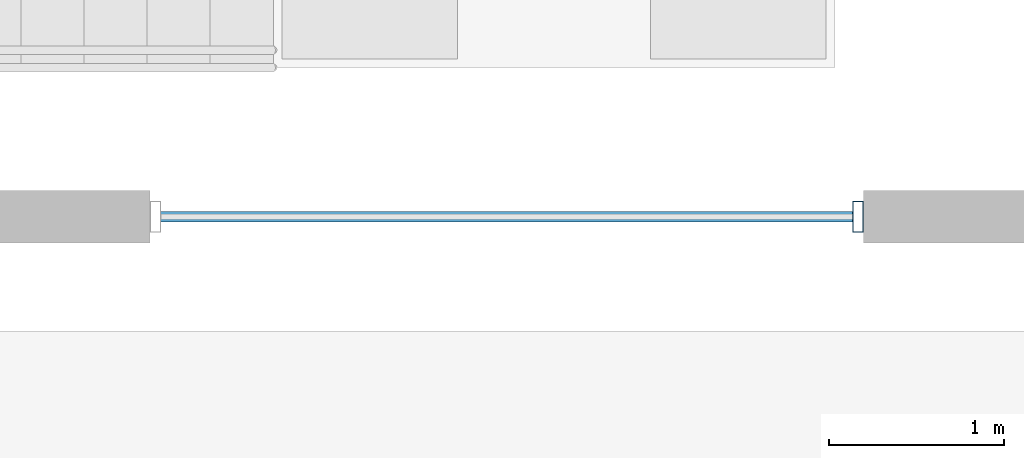
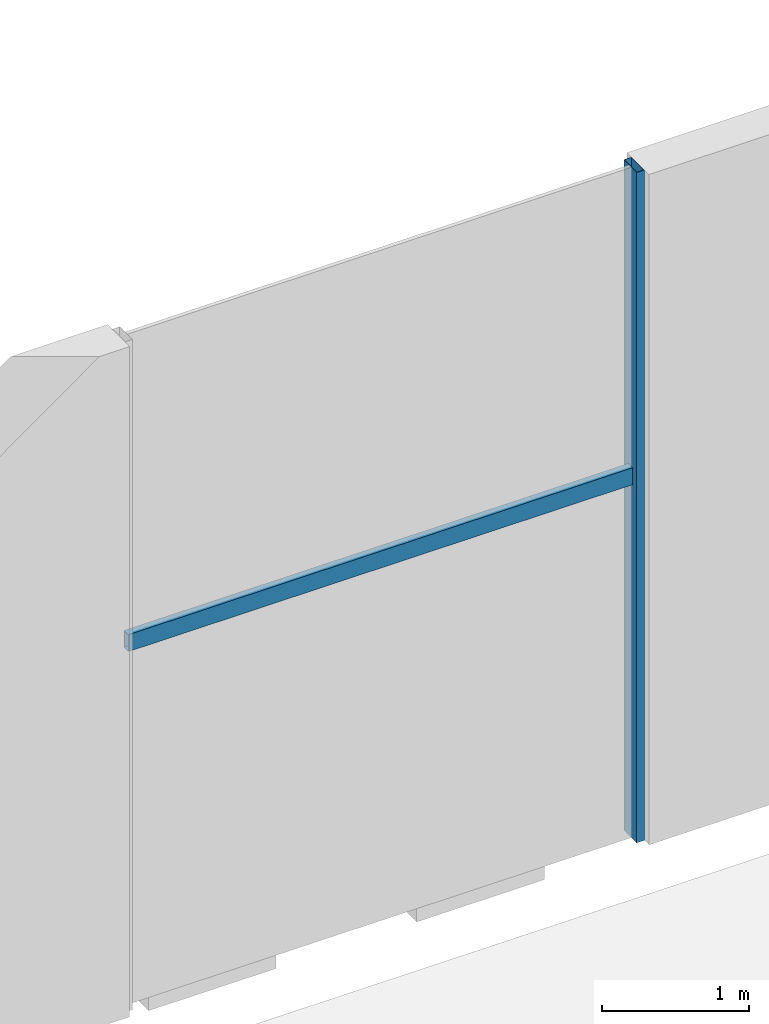
# One storey, part 15 of 68: 2 members, 1 element without a shape of its own.
"""IFC4 building model written with IfcOpenShell, lengths in metres."""

from ifc_helpers import new_model, si_unit, direction, frame, origin, origin_2d, place, context, subcontext, project, spatial, hollow_rectangle, extrude, material, material_profile, profile_set, type_object, element, aggregate, save


model = new_model("IFC4")

# Units and contexts
model_context = context("Model", 3, precision=1e-05, world=origin(), true_north=direction((0.0, 1.0)))
body_context = subcontext(model_context, "Body", "Model", "MODEL_VIEW")
ifc_project = project(units=[si_unit("LENGTHUNIT", "METRE"), si_unit("AREAUNIT", "SQUARE_METRE"), si_unit("VOLUMEUNIT", "CUBIC_METRE"), si_unit("PLANEANGLEUNIT", "RADIAN"), si_unit("MASSUNIT", "GRAM", prefix="KILO")], contexts=[model_context])

# Site, building, storey
site_placement = place(None, origin())
site = spatial("IfcSite", under=ifc_project, at=site_placement, CompositionType="ELEMENT")
building_placement = place(site_placement, origin())
building = spatial("IfcBuilding", under=site, at=building_placement, Name="Altepetl Exchange Towers", CompositionType="ELEMENT")
storey_placement = place(building_placement, origin())
storey = spatial("IfcBuildingStorey", under=building, at=storey_placement, Name="L00 Ground concourse", CompositionType="ELEMENT", Elevation=0.0)

# Curtain wall, members
ifc_material_1 = material(Name="Aluminium 6063-T6 glazing", Category="aluminium")
curtain_wall_type = type_object("IfcCurtainWallType", Name="Podium storefront system", PredefinedType="NOTDEFINED", material=ifc_material_1)
curtain_wall_placement = place(storey_placement, origin())
curtain_wall = element("IfcCurtainWall", 1, at=curtain_wall_placement, inside=storey, type_object=curtain_wall_type, Name="CW5 run", PredefinedType="NOTDEFINED")
ifc_material_2 = material(Name="Aluminium 6063-T6", Category="aluminium")
ifc_material_profile_1 = material_profile(ifc_material_2, hollow_rectangle(XDim=0.06005859375, YDim=0.175048828125, WallThickness=0.0029296875, at=origin_2d()), Name="Mullion 60x175 aluminium")
ifc_profile_set_1 = profile_set([ifc_material_profile_1], Name="Aluminium 6063-T6")
member_type_1 = type_object("IfcMemberType", Name="Mullion 60x175 aluminium", PredefinedType="MULLION", material=ifc_profile_set_1)
member_1_placement = place(storey_placement, frame((58.25341796875, 98.85009765625, 0.0), z_axis=(0.0, 0.0, 1.0), x_axis=(-1.0, 0.0, 0.0)))
member_1 = element("IfcMember", 2, at=member_1_placement, type_object=member_type_1, Name="MU4 mullion", PredefinedType="MULLION", context=body_context, shape_type="SweptSolid", body=[
    extrude(hollow_rectangle(XDim=0.06005859375, YDim=0.175048828125, WallThickness=0.0029296875, at=origin_2d()), origin(), (0.0, 0.0, 1.0), 5.550048828125),
])
ifc_material_profile_2 = material_profile(ifc_material_2, hollow_rectangle(XDim=0.06005859375, YDim=0.139892578125, WallThickness=0.0029296875, at=origin_2d()), Name="Transom 60x140 aluminium")
ifc_profile_set_2 = profile_set([ifc_material_profile_2], Name="Aluminium 6063-T6")
member_type_2 = type_object("IfcMemberType", Name="Transom 60x140 aluminium", PredefinedType="USERDEFINED", material=ifc_profile_set_2)
member_2_placement = place(storey_placement, frame((58.223388671875, 98.85009765625, 3.0), z_axis=(-1.0, 0.0, 0.0), x_axis=(0.0, -1.0, 0.0)))
member_2 = element("IfcMember", 3, at=member_2_placement, type_object=member_type_2, Name="TR3 transom", ObjectType="TRANSOM", PredefinedType="USERDEFINED", context=body_context, shape_type="SweptSolid", body=[
    extrude(hollow_rectangle(XDim=0.06005859375, YDim=0.139892578125, WallThickness=0.0029296875, at=origin_2d()), origin(), (0.0, 0.0, 1.0), 3.94677734375),
])
aggregate(curtain_wall, [member_1, member_2])

save(model, "model.ifc")
